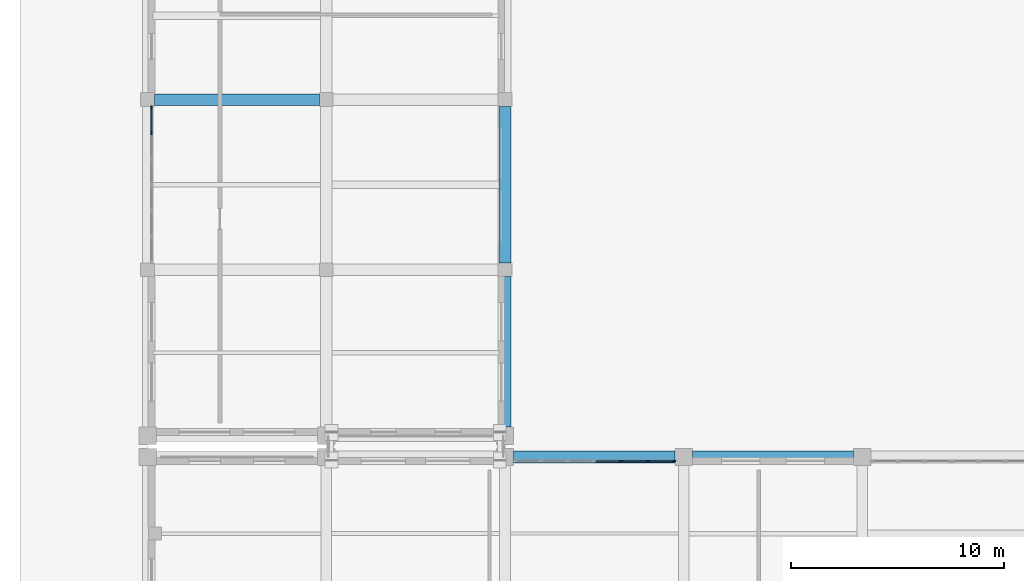
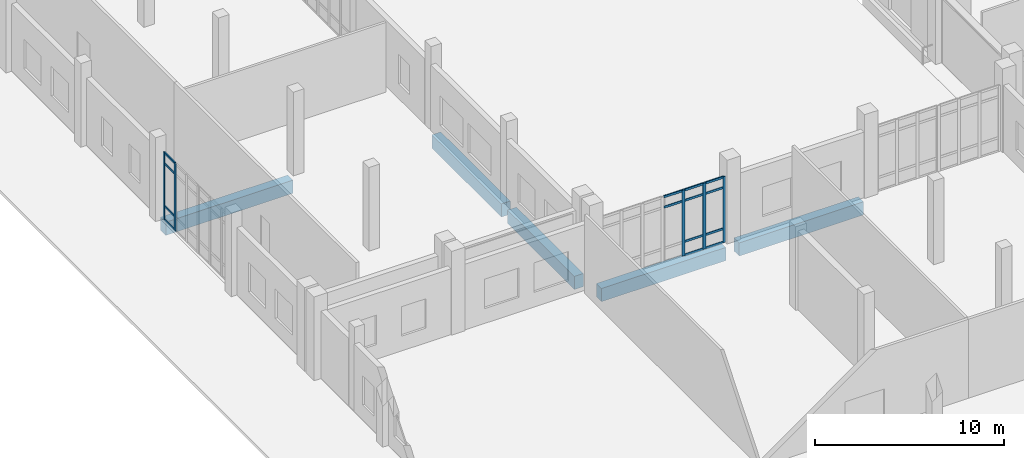
# One storey, part 8 of 79: 19 members, 5 beams, 2 elements without a shape of their own.
"""IFC4 building model written with IfcOpenShell, lengths in metres."""

from ifc_helpers import new_model, si_unit, direction, frame, origin, origin_2d, place, context, subcontext, project, spatial, rectangle, extrude, material, layer, layer_set, material_profile, profile_set, type_object, element, aggregate, save


model = new_model("IFC4")

# Units and contexts
model_context = context("Model", 3, precision=1e-05, world=origin(), true_north=direction((0.0, 1.0)))
body_context = subcontext(model_context, "Body", "Model", "MODEL_VIEW")
ifc_project = project(units=[si_unit("LENGTHUNIT", "METRE"), si_unit("AREAUNIT", "SQUARE_METRE"), si_unit("VOLUMEUNIT", "CUBIC_METRE"), si_unit("PLANEANGLEUNIT", "RADIAN"), si_unit("MASSUNIT", "GRAM", prefix="KILO")], contexts=[model_context])

# Site, building, storey
site_placement = place(None, origin())
site = spatial("IfcSite", under=ifc_project, at=site_placement, CompositionType="ELEMENT")
building_placement = place(site_placement, origin())
building = spatial("IfcBuilding", under=site, at=building_placement, Name="Kelarvand Opera House", CompositionType="ELEMENT")
storey_placement = place(building_placement, origin())
storey = spatial("IfcBuildingStorey", under=building, at=storey_placement, Name="L00", CompositionType="ELEMENT", Elevation=0.0)

# Curtain wall, members
ifc_material_1 = material(Name="Thermally broken aluminium and low-E glazing", Category="aluminium")
ifc_layer_1 = layer(ifc_material_1, 0.179931640625, Name="Thermally broken aluminium and low-E glazing", Category="aluminium")
ifc_layer_set_1 = layer_set([ifc_layer_1], Name="Thermally broken aluminium and low-E glazing")
curtain_wall_type_1 = type_object("IfcCurtainWallType", Name="Unitised Low-E Curtain Wall 3776x4250 Mod 1350 CWF-23", PredefinedType="USERDEFINED", material=ifc_layer_set_1)
curtain_wall_1_placement = place(storey_placement, origin())
curtain_wall_1 = element("IfcCurtainWall", 1, at=curtain_wall_1_placement, inside=storey, type_object=curtain_wall_type_1, Name="V4 L00 Curtain Wall CWF-23 (108)", ObjectType="UNITISED CURTAIN WALL", PredefinedType="USERDEFINED")
ifc_material_2 = material(Name="Thermally broken anodised aluminium", Category="aluminium")
ifc_material_profile_1 = material_profile(ifc_material_2, rectangle(XDim=0.06494140625, YDim=0.179931640625, at=origin_2d()), Name="ALU MULLION 65x180", Category="aluminium")
ifc_profile_set_1 = profile_set([ifc_material_profile_1], Name="Thermally broken anodised aluminium")
member_type_1 = type_object("IfcMemberType", Name="Curtain Wall Mullion 65x180 Aluminium", PredefinedType="MULLION", material=ifc_profile_set_1)
member_1_placement = place(storey_placement, frame((31.260009765625, 37.6201171875, 0.0), z_axis=(0.0, 0.0, 1.0), x_axis=(0.0, 1.0, 0.0)))
member_1 = element("IfcMember", 2, at=member_1_placement, type_object=member_type_1, Name="CWF-23 mullion 2", PredefinedType="MULLION", context=body_context, shape_type="SweptSolid", body=[
    extrude(rectangle(XDim=0.06494140625, YDim=0.179931640625, at=origin_2d()), origin(), (0.0, 0.0, 1.0), 4.25),
])
member_2_placement = place(storey_placement, frame((32.52001953125, 37.6201171875, 0.0), z_axis=(0.0, 0.0, 1.0), x_axis=(0.0, 1.0, 0.0)))
member_2 = element("IfcMember", 3, at=member_2_placement, type_object=member_type_1, Name="CWF-23 mullion 3", PredefinedType="MULLION", context=body_context, shape_type="SweptSolid", body=[
    extrude(rectangle(XDim=0.06494140625, YDim=0.179931640625, at=origin_2d()), origin(), (0.0, 0.0, 1.0), 4.25),
])
member_3_placement = place(storey_placement, frame((33.74755859375, 37.6201171875, 0.0), z_axis=(0.0, 0.0, 1.0), x_axis=(0.0, 1.0, 0.0)))
member_3 = element("IfcMember", 4, at=member_3_placement, type_object=member_type_1, Name="CWF-23 mullion 4", PredefinedType="MULLION", context=body_context, shape_type="SweptSolid", body=[
    extrude(rectangle(XDim=0.06494140625, YDim=0.179931640625, at=origin_2d()), origin(), (0.0, 0.0, 1.0), 4.25),
])

ifc_layer_2 = layer(ifc_material_1, 0.179931640625, Name="Thermally broken aluminium and low-E glazing", Category="aluminium")
ifc_layer_set_2 = layer_set([ifc_layer_2], Name="Thermally broken aluminium and low-E glazing")
curtain_wall_type_2 = type_object("IfcCurtainWallType", Name="Unitised Low-E Curtain Wall 3661x4350 Mod 1350 CWF-24", PredefinedType="USERDEFINED", material=ifc_layer_set_2)
curtain_wall_2_placement = place(storey_placement, origin())
curtain_wall_2 = element("IfcCurtainWall", 5, at=curtain_wall_2_placement, inside=storey, type_object=curtain_wall_type_2, Name="V4 L00 Curtain Wall CWF-24 (116)", ObjectType="UNITISED CURTAIN WALL", PredefinedType="USERDEFINED")
member_4_placement = place(storey_placement, frame((9.179931640625, 53.043212890625, 0.0), z_axis=(0.0, 0.0, 1.0), x_axis=(-1.0, 0.0, 0.0)))
member_4 = element("IfcMember", 6, at=member_4_placement, type_object=member_type_1, Name="CWF-24 mullion 3", PredefinedType="MULLION", context=body_context, shape_type="SweptSolid", body=[
    extrude(rectangle(XDim=0.06494140625, YDim=0.179931640625, at=origin_2d()), origin(), (0.0, 0.0, 1.0), 4.35009765625),
])
member_5_placement = place(storey_placement, frame((9.179931640625, 54.232421875, 0.0), z_axis=(0.0, 0.0, 1.0), x_axis=(-1.0, 0.0, 0.0)))
member_5 = element("IfcMember", 7, at=member_5_placement, type_object=member_type_1, Name="CWF-24 mullion 4", PredefinedType="MULLION", context=body_context, shape_type="SweptSolid", body=[
    extrude(rectangle(XDim=0.06494140625, YDim=0.179931640625, at=origin_2d()), origin(), (0.0, 0.0, 1.0), 4.35009765625),
])

# Member
ifc_material_profile_2 = material_profile(ifc_material_2, rectangle(XDim=0.06494140625, YDim=0.139892578125, at=origin_2d()), Name="ALU TRANSOM 65x140", Category="aluminium")
ifc_profile_set_2 = profile_set([ifc_material_profile_2], Name="Thermally broken anodised aluminium")
member_type_2 = type_object("IfcMemberType", Name="Curtain Wall Transom 65x140 Aluminium", PredefinedType="USERDEFINED", material=ifc_profile_set_2)
member_6_placement = place(storey_placement, frame((30.06494140625, 37.6201171875, 3.550048828125), z_axis=(1.0, 0.0, 0.0), x_axis=(0.0, 1.0, 0.0)))
member_6 = element("IfcMember", 8, at=member_6_placement, type_object=member_type_2, Name="CWF-23 transom 1.3", ObjectType="TRANSOM", PredefinedType="USERDEFINED", context=body_context, shape_type="SweptSolid", body=[
    extrude(rectangle(XDim=0.06494140625, YDim=0.139892578125, at=origin_2d()), origin(), (0.0, 0.0, 1.0), 1.16259765625),
])

member_7_placement = place(storey_placement, frame((30.06494140625, 37.6201171875, 4.217529296875), z_axis=(1.0, 0.0, 0.0), x_axis=(0.0, 1.0, 0.0)))
member_7 = element("IfcMember", 9, at=member_7_placement, type_object=member_type_2, Name="CWF-23 transom 1.4", ObjectType="TRANSOM", PredefinedType="USERDEFINED", context=body_context, shape_type="SweptSolid", body=[
    extrude(rectangle(XDim=0.06494140625, YDim=0.139892578125, at=origin_2d()), origin(), (0.0, 0.0, 1.0), 1.16259765625),
])

member_8_placement = place(storey_placement, frame((31.29248046875, 37.6201171875, 0.032470703125), z_axis=(1.0, 0.0, 0.0), x_axis=(0.0, 1.0, 0.0)))
member_8 = element("IfcMember", 10, at=member_8_placement, type_object=member_type_2, Name="CWF-23 transom 2.1", ObjectType="TRANSOM", PredefinedType="USERDEFINED", context=body_context, shape_type="SweptSolid", body=[
    extrude(rectangle(XDim=0.06494140625, YDim=0.139892578125, at=origin_2d()), origin(), (0.0, 0.0, 1.0), 1.195068359375),
])

member_9_placement = place(storey_placement, frame((31.29248046875, 37.6201171875, 0.89990234375), z_axis=(1.0, 0.0, 0.0), x_axis=(0.0, 1.0, 0.0)))
member_9 = element("IfcMember", 11, at=member_9_placement, type_object=member_type_2, Name="CWF-23 transom 2.2", ObjectType="TRANSOM", PredefinedType="USERDEFINED", context=body_context, shape_type="SweptSolid", body=[
    extrude(rectangle(XDim=0.06494140625, YDim=0.139892578125, at=origin_2d()), origin(), (0.0, 0.0, 1.0), 1.195068359375),
])

member_10_placement = place(storey_placement, frame((31.29248046875, 37.6201171875, 3.550048828125), z_axis=(1.0, 0.0, 0.0), x_axis=(0.0, 1.0, 0.0)))
member_10 = element("IfcMember", 12, at=member_10_placement, type_object=member_type_2, Name="CWF-23 transom 2.3", ObjectType="TRANSOM", PredefinedType="USERDEFINED", context=body_context, shape_type="SweptSolid", body=[
    extrude(rectangle(XDim=0.06494140625, YDim=0.139892578125, at=origin_2d()), origin(), (0.0, 0.0, 1.0), 1.195068359375),
])

member_11_placement = place(storey_placement, frame((31.29248046875, 37.6201171875, 4.217529296875), z_axis=(1.0, 0.0, 0.0), x_axis=(0.0, 1.0, 0.0)))
member_11 = element("IfcMember", 13, at=member_11_placement, type_object=member_type_2, Name="CWF-23 transom 2.4", ObjectType="TRANSOM", PredefinedType="USERDEFINED", context=body_context, shape_type="SweptSolid", body=[
    extrude(rectangle(XDim=0.06494140625, YDim=0.139892578125, at=origin_2d()), origin(), (0.0, 0.0, 1.0), 1.195068359375),
])

member_12_placement = place(storey_placement, frame((32.552490234375, 37.6201171875, 0.032470703125), z_axis=(1.0, 0.0, 0.0), x_axis=(0.0, 1.0, 0.0)))
member_12 = element("IfcMember", 14, at=member_12_placement, type_object=member_type_2, Name="CWF-23 transom 3.1", ObjectType="TRANSOM", PredefinedType="USERDEFINED", context=body_context, shape_type="SweptSolid", body=[
    extrude(rectangle(XDim=0.06494140625, YDim=0.139892578125, at=origin_2d()), origin(), (0.0, 0.0, 1.0), 1.16259765625),
])

member_13_placement = place(storey_placement, frame((32.552490234375, 37.6201171875, 0.89990234375), z_axis=(1.0, 0.0, 0.0), x_axis=(0.0, 1.0, 0.0)))
member_13 = element("IfcMember", 15, at=member_13_placement, type_object=member_type_2, Name="CWF-23 transom 3.2", ObjectType="TRANSOM", PredefinedType="USERDEFINED", context=body_context, shape_type="SweptSolid", body=[
    extrude(rectangle(XDim=0.06494140625, YDim=0.139892578125, at=origin_2d()), origin(), (0.0, 0.0, 1.0), 1.16259765625),
])

member_14_placement = place(storey_placement, frame((32.552490234375, 37.6201171875, 3.550048828125), z_axis=(1.0, 0.0, 0.0), x_axis=(0.0, 1.0, 0.0)))
member_14 = element("IfcMember", 16, at=member_14_placement, type_object=member_type_2, Name="CWF-23 transom 3.3", ObjectType="TRANSOM", PredefinedType="USERDEFINED", context=body_context, shape_type="SweptSolid", body=[
    extrude(rectangle(XDim=0.06494140625, YDim=0.139892578125, at=origin_2d()), origin(), (0.0, 0.0, 1.0), 1.16259765625),
])

member_15_placement = place(storey_placement, frame((32.552490234375, 37.6201171875, 4.217529296875), z_axis=(1.0, 0.0, 0.0), x_axis=(0.0, 1.0, 0.0)))
member_15 = element("IfcMember", 17, at=member_15_placement, type_object=member_type_2, Name="CWF-23 transom 3.4", ObjectType="TRANSOM", PredefinedType="USERDEFINED", context=body_context, shape_type="SweptSolid", body=[
    extrude(rectangle(XDim=0.06494140625, YDim=0.139892578125, at=origin_2d()), origin(), (0.0, 0.0, 1.0), 1.16259765625),
])

aggregate(curtain_wall_1, [member_1, member_2, member_3, member_6, member_7, member_8, member_9, member_10, member_11, member_12, member_13, member_14, member_15])

member_16_placement = place(storey_placement, frame((9.179931640625, 53.075927734375, 0.032470703125), z_axis=(0.0, 1.0, 0.0), x_axis=(-1.0, 0.0, 0.0)))
member_16 = element("IfcMember", 18, at=member_16_placement, type_object=member_type_2, Name="CWF-24 transom 3.1", ObjectType="TRANSOM", PredefinedType="USERDEFINED", context=body_context, shape_type="SweptSolid", body=[
    extrude(rectangle(XDim=0.06494140625, YDim=0.139892578125, at=origin_2d()), origin(), (0.0, 0.0, 1.0), 1.1240234375),
])

member_17_placement = place(storey_placement, frame((9.179931640625, 53.075927734375, 0.89990234375), z_axis=(0.0, 1.0, 0.0), x_axis=(-1.0, 0.0, 0.0)))
member_17 = element("IfcMember", 19, at=member_17_placement, type_object=member_type_2, Name="CWF-24 transom 3.2", ObjectType="TRANSOM", PredefinedType="USERDEFINED", context=body_context, shape_type="SweptSolid", body=[
    extrude(rectangle(XDim=0.06494140625, YDim=0.139892578125, at=origin_2d()), origin(), (0.0, 0.0, 1.0), 1.1240234375),
])

member_18_placement = place(storey_placement, frame((9.179931640625, 53.075927734375, 3.64990234375), z_axis=(0.0, 1.0, 0.0), x_axis=(-1.0, 0.0, 0.0)))
member_18 = element("IfcMember", 20, at=member_18_placement, type_object=member_type_2, Name="CWF-24 transom 3.3", ObjectType="TRANSOM", PredefinedType="USERDEFINED", context=body_context, shape_type="SweptSolid", body=[
    extrude(rectangle(XDim=0.06494140625, YDim=0.139892578125, at=origin_2d()), origin(), (0.0, 0.0, 1.0), 1.1240234375),
])

member_19_placement = place(storey_placement, frame((9.179931640625, 53.075927734375, 4.3173828125), z_axis=(0.0, 1.0, 0.0), x_axis=(-1.0, 0.0, 0.0)))
member_19 = element("IfcMember", 21, at=member_19_placement, type_object=member_type_2, Name="CWF-24 transom 3.4", ObjectType="TRANSOM", PredefinedType="USERDEFINED", context=body_context, shape_type="SweptSolid", body=[
    extrude(rectangle(XDim=0.06494140625, YDim=0.139892578125, at=origin_2d()), origin(), (0.0, 0.0, 1.0), 1.1240234375),
])

aggregate(curtain_wall_2, [member_4, member_5, member_16, member_17, member_18, member_19])

# Beams
ifc_material_3 = material(Name="Concrete C40/50", Category="concrete")
ifc_material_profile_3 = material_profile(ifc_material_3, rectangle(XDim=0.550048828125, YDim=0.85009765625, at=origin_2d()), Name="RC 550x850", Category="concrete")
ifc_profile_set_3 = profile_set([ifc_material_profile_3], Name="Concrete C40/50")
beam_type = type_object("IfcBeamType", Name="Structural Beam RC 550x850 BM-RC550x850", PredefinedType="BEAM", material=ifc_profile_set_3)
beam_1_placement = place(storey_placement, frame((26.2099609375, 37.800048828125, -0.72509765625), z_axis=(1.0, 0.0, 0.0), x_axis=(0.0, 1.0, 0.0)))
element("IfcBeam", 22, at=beam_1_placement, inside=storey, type_object=beam_type, Name="V4 L00 Beam BM-RC550x850", PredefinedType="BEAM", context=body_context, shape_type="SweptSolid", body=[
    extrude(rectangle(XDim=0.550048828125, YDim=0.85009765625, at=origin_2d()), origin(), (0.0, 0.0, 1.0), 7.580078125),
])
beam_2_placement = place(storey_placement, frame((34.610107421875, 37.800048828125, -0.72509765625), z_axis=(1.0, 0.0, 0.0), x_axis=(0.0, 1.0, 0.0)))
element("IfcBeam", 23, at=beam_2_placement, inside=storey, type_object=beam_type, Name="V4 L00 Beam BM-RC550x850", PredefinedType="BEAM", context=body_context, shape_type="SweptSolid", body=[
    extrude(rectangle(XDim=0.550048828125, YDim=0.85009765625, at=origin_2d()), origin(), (0.0, 0.0, 1.0), 7.579833984375),
])
beam_3_placement = place(storey_placement, frame((9.324951171875, 54.60009765625, -0.72509765625), z_axis=(1.0, 0.0, 0.0), x_axis=(0.0, 1.0, 0.0)))
element("IfcBeam", 24, at=beam_3_placement, inside=storey, type_object=beam_type, Name="V4 L00 Beam BM-RC550x850", PredefinedType="BEAM", context=body_context, shape_type="SweptSolid", body=[
    extrude(rectangle(XDim=0.550048828125, YDim=0.85009765625, at=origin_2d()), origin(), (0.0, 0.0, 1.0), 7.75),
])
beam_4_placement = place(storey_placement, frame((25.800048828125, 39.2099609375, -0.72509765625), z_axis=(0.0, 1.0, 0.0), x_axis=(-1.0, 0.0, 0.0)))
element("IfcBeam", 25, at=beam_4_placement, inside=storey, type_object=beam_type, Name="V4 L00 Beam BM-RC550x850", PredefinedType="BEAM", context=body_context, shape_type="SweptSolid", body=[
    extrude(rectangle(XDim=0.550048828125, YDim=0.85009765625, at=origin_2d()), origin(), (0.0, 0.0, 1.0), 7.06494140625),
])
beam_5_placement = place(storey_placement, frame((25.800048828125, 46.925048828125, -0.72509765625), z_axis=(0.0, 1.0, 0.0), x_axis=(-1.0, 0.0, 0.0)))
element("IfcBeam", 26, at=beam_5_placement, inside=storey, type_object=beam_type, Name="V4 L00 Beam BM-RC550x850", PredefinedType="BEAM", context=body_context, shape_type="SweptSolid", body=[
    extrude(rectangle(XDim=0.550048828125, YDim=0.85009765625, at=origin_2d()), origin(), (0.0, 0.0, 1.0), 7.349853515625),
])

save(model, "model.ifc")
